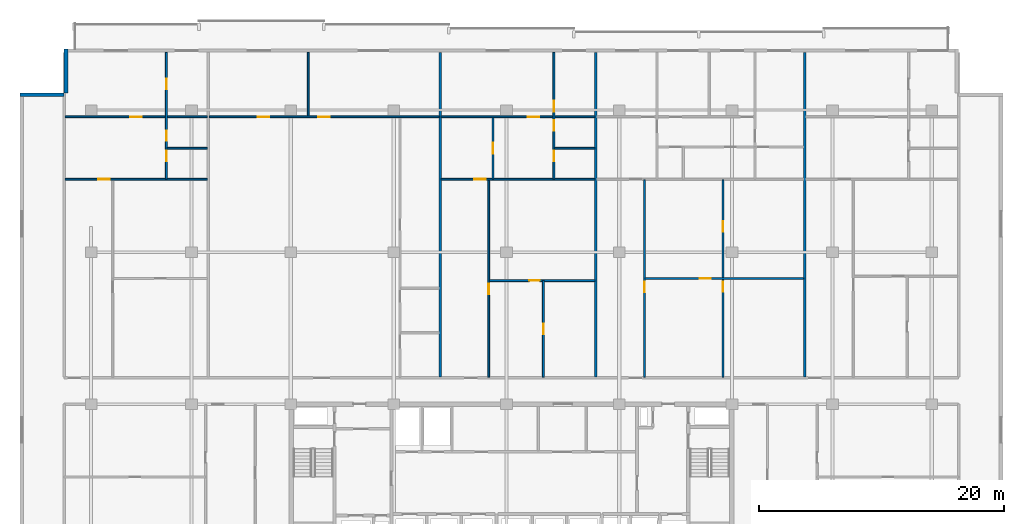
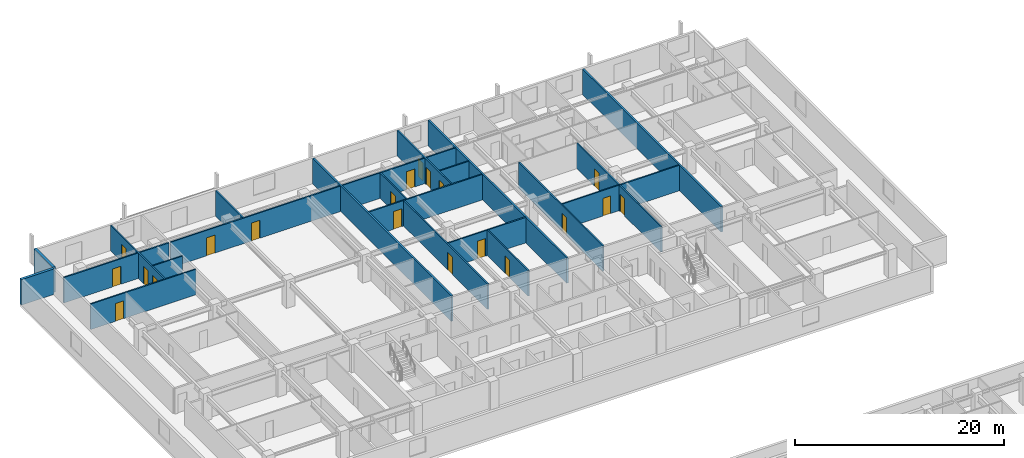
# One storey, part 14 of 22: 22 walls, 20 doors, 20 openings.
"""IFC4 building model written with IfcOpenShell, lengths in metres."""

from ifc_helpers import new_model, si_unit, direction, frame, frame_2d, origin, place, context, subcontext, project, spatial, rectangle, extrude, material, layer, layer_set, type_object, element, fill, save


model = new_model("IFC4")

# Units and contexts
model_context = context("Model", 3, precision=1e-05, world=origin(), true_north=direction((0.0, 1.0)))
body_context = subcontext(model_context, "Body", "Model", "MODEL_VIEW")
ifc_project = project(units=[si_unit("LENGTHUNIT", "METRE"), si_unit("AREAUNIT", "SQUARE_METRE"), si_unit("VOLUMEUNIT", "CUBIC_METRE"), si_unit("PLANEANGLEUNIT", "RADIAN"), si_unit("MASSUNIT", "GRAM", prefix="KILO")], contexts=[model_context])

# Site, building, storey
site_placement = place(None, origin())
site = spatial("IfcSite", under=ifc_project, at=site_placement, CompositionType="ELEMENT")
building_placement = place(site_placement, origin())
building = spatial("IfcBuilding", under=site, at=building_placement, Name="Korimba Cascade Residences", CompositionType="ELEMENT")
storey_placement = place(building_placement, frame((0.0, 0.0, 87.300048828125)))
storey = spatial("IfcBuildingStorey", under=building, at=storey_placement, Name="L24", CompositionType="ELEMENT", Elevation=87.300048828125)

# Walls
ifc_material_1 = material(Name="Precast concrete C40/50", Category="concrete")
ifc_layer_1 = layer(ifc_material_1, 0.300048828125)
ifc_layer_set_1 = layer_set([ifc_layer_1], Name="Precast concrete C40/50")
wall_type_1 = type_object("IfcWallType", Name="EW-STONE-300", PredefinedType="STANDARD", material=ifc_layer_set_1)
wall_1_placement = place(storey_placement, frame((57.75, 96.199951171875, 0.0), z_axis=(0.0, 0.0, 1.0), x_axis=(0.0, -1.0, 0.0)))
element("IfcWall", 1, at=wall_1_placement, inside=storey, type_object=wall_type_1, Name="L24 T1 Perimeter Stone Wall E07", PredefinedType="STANDARD", context=body_context, shape_type="SweptSolid", body=[
    extrude(rectangle(XDim=3.599853515625, YDim=0.300048828125, at=frame_2d((1.7998046875, 0.0))), origin(), (0.0, 0.0, 1.0), 2.969970703125),
])
wall_2_placement = place(storey_placement, frame((57.60009765625, 92.449951171875, 0.0), z_axis=(0.0, 0.0, 1.0), x_axis=(-1.0, 0.0, 0.0)))
element("IfcWall", 2, at=wall_2_placement, inside=storey, type_object=wall_type_1, Name="L24 T1 Perimeter Stone Wall E08", PredefinedType="STANDARD", context=body_context, shape_type="SweptSolid", body=[
    extrude(rectangle(XDim=3.60009765625, YDim=0.300048828125, at=frame_2d((1.800048828125, 0.0))), origin(), (0.0, 0.0, 1.0), 2.969970703125),
])
ifc_layer_2 = layer(ifc_material_1, 0.199951171875)
ifc_layer_set_2 = layer_set([ifc_layer_2], Name="Precast concrete C40/50")
wall_type_2 = type_object("IfcWallType", Name="WAL-IT-200", PredefinedType="PARTITIONING", material=ifc_layer_set_2)
for number, where, z_axis, x_axis, name in (
    (3, (88.28466796875, 69.429931640625, 0.0), (0.0, 0.0, 1.0), (0.0, 1.0, 0.0), "L24 Partition Wall WAL-L24-T1-DEM-2"),
    (4, (100.9873046875, 69.429931640625, 0.0), (0.0, 0.0, 1.0), (0.0, 1.0, 0.0), "L24 Partition Wall WAL-L24-T1-DEM-3"),
    (5, (118.033447265625, 69.429931640625, 0.0), (0.0, 0.0, 1.0), (0.0, 1.0, 0.0), "L24 Partition Wall WAL-L24-T1-DEM-4"),
):
    element("IfcWall", number, at=place(storey_placement, frame(where, z_axis=z_axis, x_axis=x_axis)), inside=storey, type_object=wall_type_2, Name=name, PredefinedType="PARTITIONING", context=body_context, shape_type="SweptSolid", body=[
        extrude(rectangle(XDim=26.469970703125, YDim=0.199951171875, at=frame_2d((13.23486328125, 0.0))), origin(), (0.0, 0.0, 1.0), 2.969970703125),
    ])
ifc_material_2 = material(Name="Insulated Acoustic Stud Partition", Category="gypsum")
ifc_layer_3 = layer(ifc_material_2, 0.14990234375)
ifc_layer_set_3 = layer_set([ifc_layer_3], Name="Insulated Acoustic Stud Partition")
wall_type_3 = type_object("IfcWallType", Name="WAL-PART-150", PredefinedType="PARTITIONING", material=ifc_layer_set_3)
wall_3_placement = place(storey_placement, frame((66.006591796875, 88.090087890625, 0.0), z_axis=(0.0, 0.0, 1.0), x_axis=(1.0, 0.0, 0.0)))
element("IfcWall", 6, at=wall_3_placement, inside=storey, type_object=wall_type_3, Name="L24 Partition Wall WAL-L24-T1-U01-BLDIV", PredefinedType="PARTITIONING", context=body_context, shape_type="SweptSolid", body=[
    extrude(rectangle(XDim=3.280029296875, YDim=0.14990234375, at=frame_2d((1.64013671875, 0.0))), origin(), (0.0, 0.0, 1.0), 2.969970703125),
])

# Wall, openings, doors
wall_4_placement = place(storey_placement, frame((65.94677734375, 85.590087890625, 0.0), z_axis=(0.0, 0.0, 1.0), x_axis=(0.0, 1.0, 0.0)))
wall_4 = element("IfcWall", 7, at=wall_4_placement, inside=storey, type_object=wall_type_3, Name="L24 Partition Wall WAL-L24-T1-U01-V1", PredefinedType="PARTITIONING", context=body_context, shape_type="SweptSolid", body=[
    extrude(rectangle(XDim=10.309814453125, YDim=0.14990234375, at=frame_2d((5.15478515625, 0.0))), origin(), (0.0, 0.0, 1.0), 2.969970703125),
])
opening_1_placement = place(wall_4_placement, frame((1.430419921875, 0.0, 0.0)))
opening_1 = element("IfcOpeningElement", 8, at=opening_1_placement, cuts=wall_4, Name="Opening D-BT1", PredefinedType="OPENING", context=body_context, shape_type="SweptSolid", body=[
    extrude(rectangle(XDim=0.840087890625, YDim=2.0400390625, at=frame_2d((0.419921875, 1.02001953125))), frame((0.0, 0.0849609375, 0.0), z_axis=(0.0, -1.0, 0.0), x_axis=(1.0, 0.0, 0.0)), (0.0, 0.0, 1.0), 0.169921875),
])
opening_2_placement = place(wall_4_placement, frame((3.1015625, 0.0, 0.0)))
opening_2 = element("IfcOpeningElement", 9, at=opening_2_placement, cuts=wall_4, Name="Opening D-BT1", PredefinedType="OPENING", context=body_context, shape_type="SweptSolid", body=[
    extrude(rectangle(XDim=0.840087890625, YDim=2.0400390625, at=frame_2d((0.419921875, 1.02001953125))), frame((0.0, 0.0849609375, 0.0), z_axis=(0.0, -1.0, 0.0), x_axis=(1.0, 0.0, 0.0)), (0.0, 0.0, 1.0), 0.169921875),
])
opening_3_placement = place(wall_4_placement, frame((7.28955078125, 0.0, 0.0)))
opening_3 = element("IfcOpeningElement", 10, at=opening_3_placement, cuts=wall_4, Name="Opening D-IN2", PredefinedType="OPENING", context=body_context, shape_type="SweptSolid", body=[
    extrude(rectangle(XDim=0.8798828125, YDim=2.06005859375, at=frame_2d((0.43994140625, 1.030029296875))), frame((0.0, 0.0849609375, 0.0), z_axis=(0.0, -1.0, 0.0), x_axis=(1.0, 0.0, 0.0)), (0.0, 0.0, 1.0), 0.169921875),
])
ifc_material_3 = material(Name="Moisture-Resistant Bathroom Timber Door", Category="wood")
door_type_1 = type_object("IfcDoorType", Name="DR-INT-850", OperationType="NOTDEFINED", PredefinedType="DOOR", material=ifc_material_3)
door_1_placement = place(opening_1_placement, origin())
door_1 = element("IfcDoor", 11, at=door_1_placement, inside=storey, type_object=door_type_1, Name="L24-T1-U01 Bathroom Door", OperationType="SINGLE_SWING_LEFT", OverallHeight=2.0400390625, OverallWidth=0.840087890625, PredefinedType="DOOR", context=body_context, shape_type="SweptSolid", body=[
    extrude(rectangle(XDim=0.840087890625, YDim=2.0400390625, at=frame_2d((0.419921875, 1.02001953125))), frame((0.0, 0.02490234375, 0.0), z_axis=(0.0, -1.0, 0.0), x_axis=(1.0, 0.0, 0.0)), (0.0, 0.0, 1.0), 0.050048828125),
])
fill(opening_1, door_1)
door_2_placement = place(opening_2_placement, origin())
door_2 = element("IfcDoor", 12, at=door_2_placement, inside=storey, type_object=door_type_1, Name="L24-T1-U01 Laundry Door", OperationType="SINGLE_SWING_RIGHT", OverallHeight=2.0400390625, OverallWidth=0.840087890625, PredefinedType="DOOR", context=body_context, shape_type="SweptSolid", body=[
    extrude(rectangle(XDim=0.840087890625, YDim=2.0400390625, at=frame_2d((0.419921875, 1.02001953125))), frame((0.0, 0.02490234375, 0.0), z_axis=(0.0, -1.0, 0.0), x_axis=(1.0, 0.0, 0.0)), (0.0, 0.0, 1.0), 0.050048828125),
])
fill(opening_2, door_2)
ifc_material_4 = material(Name="Acoustic Timber Bedroom Door", Category="wood")
door_type_2 = type_object("IfcDoorType", Name="DR-INT-880", OperationType="NOTDEFINED", PredefinedType="DOOR", material=ifc_material_4)
door_3_placement = place(opening_3_placement, origin())
door_3 = element("IfcDoor", 13, at=door_3_placement, inside=storey, type_object=door_type_2, Name="L24-T1-U01 Bedroom 1 Door", OperationType="SINGLE_SWING_LEFT", OverallHeight=2.06005859375, OverallWidth=0.8798828125, PredefinedType="DOOR", context=body_context, shape_type="SweptSolid", body=[
    extrude(rectangle(XDim=0.8798828125, YDim=2.06005859375, at=frame_2d((0.43994140625, 1.030029296875))), frame((0.0, 0.02490234375, 0.0), z_axis=(0.0, -1.0, 0.0), x_axis=(1.0, 0.0, 0.0)), (0.0, 0.0, 1.0), 0.050048828125),
])
fill(opening_3, door_3)

# Wall, opening, door
wall_5_placement = place(storey_placement, frame((57.679931640625, 85.550048828125, 0.0), z_axis=(0.0, 0.0, 1.0), x_axis=(1.0, 0.0, 0.0)))
wall_5 = element("IfcWall", 14, at=wall_5_placement, inside=storey, type_object=wall_type_3, Name="L24 Partition Wall WAL-L24-T1-U01-MW", PredefinedType="PARTITIONING", context=body_context, shape_type="SweptSolid", body=[
    extrude(rectangle(XDim=11.606689453125, YDim=0.14990234375, at=frame_2d((5.80322265625, 0.0))), origin(), (0.0, 0.0, 1.0), 2.969970703125),
])
opening_4_placement = place(wall_5_placement, frame((2.719970703125, 0.0, 0.0)))
opening_4 = element("IfcOpeningElement", 15, at=opening_4_placement, cuts=wall_5, Name="Opening D-IN1", PredefinedType="OPENING", context=body_context, shape_type="SweptSolid", body=[
    extrude(rectangle(XDim=0.919921875, YDim=2.080078125, at=frame_2d((0.4599609375, 1.0400390625))), frame((0.0, 0.0849609375, 0.0), z_axis=(0.0, -1.0, 0.0), x_axis=(1.0, 0.0, 0.0)), (0.0, 0.0, 1.0), 0.169921875),
])
ifc_material_5 = material(Name="Acoustic Timber Living Door", Category="wood")
door_type_3 = type_object("IfcDoorType", Name="DR-INT-920", OperationType="NOTDEFINED", PredefinedType="DOOR", material=ifc_material_5)
door_4_placement = place(opening_4_placement, origin())
door_4 = element("IfcDoor", 16, at=door_4_placement, inside=storey, type_object=door_type_3, Name="L24-T1-U01 Kitchen Archway Door", OperationType="SINGLE_SWING_RIGHT", OverallHeight=2.080078125, OverallWidth=0.919921875, PredefinedType="DOOR", context=body_context, shape_type="SweptSolid", body=[
    extrude(rectangle(XDim=0.919921875, YDim=2.080078125, at=frame_2d((0.4599609375, 1.0400390625))), frame((0.0, 0.02490234375, 0.0), z_axis=(0.0, -1.0, 0.0), x_axis=(1.0, 0.0, 0.0)), (0.0, 0.0, 1.0), 0.050048828125),
])
fill(opening_4, door_4)

wall_6_placement = place(storey_placement, frame((57.679931640625, 90.64990234375, 0.0), z_axis=(0.0, 0.0, 1.0), x_axis=(1.0, 0.0, 0.0)))
wall_6 = element("IfcWall", 17, at=wall_6_placement, inside=storey, type_object=wall_type_3, Name="L24 Partition Wall WAL-L24-T1-U01-HZ", PredefinedType="PARTITIONING", context=body_context, shape_type="SweptSolid", body=[
    extrude(rectangle(XDim=11.606689453125, YDim=0.14990234375, at=frame_2d((5.80322265625, 0.0))), origin(), (0.0, 0.0, 1.0), 2.969970703125),
])
opening_5_placement = place(wall_6_placement, frame((5.333251953125, 0.0, 0.0)))
opening_5 = element("IfcOpeningElement", 18, at=opening_5_placement, cuts=wall_6, Name="Opening D-IN0", PredefinedType="OPENING", context=body_context, shape_type="SweptSolid", body=[
    extrude(rectangle(XDim=0.93994140625, YDim=2.10009765625, at=frame_2d((0.469970703125, 1.050048828125))), frame((0.0, 0.0849609375, 0.0), z_axis=(0.0, -1.0, 0.0), x_axis=(1.0, 0.0, 0.0)), (0.0, 0.0, 1.0), 0.169921875),
])
ifc_material_6 = material(Name="Acoustic Timber Living Archway Door", Category="wood")
door_type_4 = type_object("IfcDoorType", Name="DR-INT-950", OperationType="NOTDEFINED", PredefinedType="DOOR", material=ifc_material_6)
door_5_placement = place(opening_5_placement, origin())
door_5 = element("IfcDoor", 19, at=door_5_placement, inside=storey, type_object=door_type_4, Name="L24-T1-U01 Living Archway Door", OperationType="SINGLE_SWING_LEFT", OverallHeight=2.10009765625, OverallWidth=0.93994140625, PredefinedType="DOOR", context=body_context, shape_type="SweptSolid", body=[
    extrude(rectangle(XDim=0.93994140625, YDim=2.10009765625, at=frame_2d((0.469970703125, 1.050048828125))), frame((0.0, 0.02490234375, 0.0), z_axis=(0.0, -1.0, 0.0), x_axis=(1.0, 0.0, 0.0)), (0.0, 0.0, 1.0), 0.050048828125),
])
fill(opening_5, door_5)

# Wall
wall_7_placement = place(storey_placement, frame((77.520751953125, 90.72998046875, 0.0), z_axis=(0.0, 0.0, 1.0), x_axis=(0.0, 1.0, 0.0)))
element("IfcWall", 20, at=wall_7_placement, inside=storey, type_object=wall_type_3, Name="L24 Partition Wall WAL-L24-T1-U02-OUTV", PredefinedType="PARTITIONING", context=body_context, shape_type="SweptSolid", body=[
    extrude(rectangle(XDim=5.169921875, YDim=0.14990234375, at=frame_2d((2.5849609375, 0.0))), origin(), (0.0, 0.0, 1.0), 2.969970703125),
])

# Wall, openings, doors
wall_8_placement = place(storey_placement, frame((69.44677734375, 90.64990234375, 0.0), z_axis=(0.0, 0.0, 1.0), x_axis=(1.0, 0.0, 0.0)))
wall_8 = element("IfcWall", 21, at=wall_8_placement, inside=storey, type_object=wall_type_3, Name="L24 Partition Wall WAL-L24-T1-U02-HZ", PredefinedType="PARTITIONING", context=body_context, shape_type="SweptSolid", body=[
    extrude(rectangle(XDim=18.7578125, YDim=0.14990234375, at=frame_2d((9.37890625, 0.0))), origin(), (0.0, 0.0, 1.0), 2.969970703125),
])
opening_6_placement = place(wall_8_placement, frame((3.965087890625, 0.0, 0.0)))
opening_6 = element("IfcOpeningElement", 22, at=opening_6_placement, cuts=wall_8, Name="Opening D-IN0", PredefinedType="OPENING", context=body_context, shape_type="SweptSolid", body=[
    extrude(rectangle(XDim=0.93994140625, YDim=2.10009765625, at=frame_2d((0.469970703125, 1.050048828125))), frame((0.0, 0.0849609375, 0.0), z_axis=(0.0, -1.0, 0.0), x_axis=(1.0, 0.0, 0.0)), (0.0, 0.0, 1.0), 0.169921875),
])
opening_7_placement = place(wall_8_placement, frame((8.908935546875, 0.0, 0.0)))
opening_7 = element("IfcOpeningElement", 23, at=opening_7_placement, cuts=wall_8, Name="Opening D-IN0", PredefinedType="OPENING", context=body_context, shape_type="SweptSolid", body=[
    extrude(rectangle(XDim=0.93994140625, YDim=2.10009765625, at=frame_2d((0.469970703125, 1.050048828125))), frame((0.0, 0.0849609375, 0.0), z_axis=(0.0, -1.0, 0.0), x_axis=(1.0, 0.0, 0.0)), (0.0, 0.0, 1.0), 0.169921875),
])
door_6_placement = place(opening_6_placement, origin())
door_6 = element("IfcDoor", 24, at=door_6_placement, inside=storey, type_object=door_type_4, Name="L24-T1-U02 Resident Gourmet Market Door", OperationType="SINGLE_SWING_LEFT", OverallHeight=2.10009765625, OverallWidth=0.93994140625, PredefinedType="DOOR", context=body_context, shape_type="SweptSolid", body=[
    extrude(rectangle(XDim=0.93994140625, YDim=2.10009765625, at=frame_2d((0.469970703125, 1.050048828125))), frame((0.0, 0.02490234375, 0.0), z_axis=(0.0, -1.0, 0.0), x_axis=(1.0, 0.0, 0.0)), (0.0, 0.0, 1.0), 0.050048828125),
])
fill(opening_6, door_6)
door_7_placement = place(opening_7_placement, origin())
door_7 = element("IfcDoor", 25, at=door_7_placement, inside=storey, type_object=door_type_4, Name="L24-T1-U02 Artisan Gallery Boutique Door", OperationType="SINGLE_SWING_RIGHT", OverallHeight=2.10009765625, OverallWidth=0.93994140625, PredefinedType="DOOR", context=body_context, shape_type="SweptSolid", body=[
    extrude(rectangle(XDim=0.93994140625, YDim=2.10009765625, at=frame_2d((0.469970703125, 1.050048828125))), frame((0.0, 0.02490234375, 0.0), z_axis=(0.0, -1.0, 0.0), x_axis=(1.0, 0.0, 0.0)), (0.0, 0.0, 1.0), 0.050048828125),
])
fill(opening_7, door_7)

# Wall, opening, door
wall_9_placement = place(storey_placement, frame((96.7109375, 69.409912109375, 0.0), z_axis=(0.0, 0.0, 1.0), x_axis=(0.0, 1.0, 0.0)))
wall_9 = element("IfcWall", 26, at=wall_9_placement, inside=storey, type_object=wall_type_3, Name="L24 Partition Wall WAL-L24-T1-U03-FMV", PredefinedType="PARTITIONING", context=body_context, shape_type="SweptSolid", body=[
    extrude(rectangle(XDim=7.8701171875, YDim=0.14990234375, at=frame_2d((3.93505859375, 0.0))), origin(), (0.0, 0.0, 1.0), 2.969970703125),
])
opening_8_placement = place(wall_9_placement, frame((3.514892578125, 0.0, 0.0)))
opening_8 = element("IfcOpeningElement", 27, at=opening_8_placement, cuts=wall_9, Name="Opening D-BT1", PredefinedType="OPENING", context=body_context, shape_type="SweptSolid", body=[
    extrude(rectangle(XDim=0.840087890625, YDim=2.0400390625, at=frame_2d((0.419921875, 1.02001953125))), frame((0.0, 0.0849609375, 0.0), z_axis=(0.0, -1.0, 0.0), x_axis=(1.0, 0.0, 0.0)), (0.0, 0.0, 1.0), 0.169921875),
])
door_8_placement = place(opening_8_placement, origin())
door_8 = element("IfcDoor", 28, at=door_8_placement, inside=storey, type_object=door_type_1, Name="L24-T1-U03 Wardrobe Door", OperationType="SINGLE_SWING_LEFT", OverallHeight=2.0400390625, OverallWidth=0.840087890625, PredefinedType="DOOR", context=body_context, shape_type="SweptSolid", body=[
    extrude(rectangle(XDim=0.840087890625, YDim=2.0400390625, at=frame_2d((0.419921875, 1.02001953125))), frame((0.0, 0.02490234375, 0.0), z_axis=(0.0, -1.0, 0.0), x_axis=(1.0, 0.0, 0.0)), (0.0, 0.0, 1.0), 0.050048828125),
])
fill(opening_8, door_8)

wall_10_placement = place(storey_placement, frame((92.314697265625, 77.280029296875, 0.0), z_axis=(0.0, 0.0, 1.0), x_axis=(1.0, 0.0, 0.0)))
wall_10 = element("IfcWall", 29, at=wall_10_placement, inside=storey, type_object=wall_type_3, Name="L24 Partition Wall WAL-L24-T1-U03-FMH", PredefinedType="PARTITIONING", context=body_context, shape_type="SweptSolid", body=[
    extrude(rectangle(XDim=8.592529296875, YDim=0.14990234375, at=frame_2d((4.29638671875, 0.0))), origin(), (0.0, 0.0, 1.0), 2.969970703125),
])
opening_9_placement = place(wall_10_placement, frame((3.2373046875, 0.0, 0.0)))
opening_9 = element("IfcOpeningElement", 30, at=opening_9_placement, cuts=wall_10, Name="Opening D-IN2", PredefinedType="OPENING", context=body_context, shape_type="SweptSolid", body=[
    extrude(rectangle(XDim=0.8798828125, YDim=2.06005859375, at=frame_2d((0.43994140625, 1.030029296875))), frame((0.0, 0.0849609375, 0.0), z_axis=(0.0, -1.0, 0.0), x_axis=(1.0, 0.0, 0.0)), (0.0, 0.0, 1.0), 0.169921875),
])
door_9_placement = place(opening_9_placement, origin())
door_9 = element("IfcDoor", 31, at=door_9_placement, inside=storey, type_object=door_type_2, Name="L24-T1-U03 Library Salon Door", OperationType="SINGLE_SWING_RIGHT", OverallHeight=2.06005859375, OverallWidth=0.8798828125, PredefinedType="DOOR", context=body_context, shape_type="SweptSolid", body=[
    extrude(rectangle(XDim=0.8798828125, YDim=2.06005859375, at=frame_2d((0.43994140625, 1.030029296875))), frame((0.0, 0.02490234375, 0.0), z_axis=(0.0, -1.0, 0.0), x_axis=(1.0, 0.0, 0.0)), (0.0, 0.0, 1.0), 0.050048828125),
])
fill(opening_9, door_9)

wall_11_placement = place(storey_placement, frame((92.254638671875, 69.409912109375, 0.0), z_axis=(0.0, 0.0, 1.0), x_axis=(0.0, 1.0, 0.0)))
wall_11 = element("IfcWall", 32, at=wall_11_placement, inside=storey, type_object=wall_type_3, Name="L24 Partition Wall WAL-L24-T1-U03-FV", PredefinedType="PARTITIONING", context=body_context, shape_type="SweptSolid", body=[
    extrude(rectangle(XDim=16.10009765625, YDim=0.14990234375, at=frame_2d((8.050048828125, 0.0))), origin(), (0.0, 0.0, 1.0), 2.969970703125),
])
opening_10_placement = place(wall_11_placement, frame((6.739990234375, 0.0, 0.0)))
opening_10 = element("IfcOpeningElement", 33, at=opening_10_placement, cuts=wall_11, Name="Opening D-IN2", PredefinedType="OPENING", context=body_context, shape_type="SweptSolid", body=[
    extrude(rectangle(XDim=0.8798828125, YDim=2.06005859375, at=frame_2d((0.43994140625, 1.030029296875))), frame((0.0, 0.0849609375, 0.0), z_axis=(0.0, -1.0, 0.0), x_axis=(1.0, 0.0, 0.0)), (0.0, 0.0, 1.0), 0.169921875),
])
door_10_placement = place(opening_10_placement, origin())
door_10 = element("IfcDoor", 34, at=door_10_placement, inside=storey, type_object=door_type_2, Name="L24-T1-U03 Media Lounge Door", OperationType="SINGLE_SWING_LEFT", OverallHeight=2.06005859375, OverallWidth=0.8798828125, PredefinedType="DOOR", context=body_context, shape_type="SweptSolid", body=[
    extrude(rectangle(XDim=0.8798828125, YDim=2.06005859375, at=frame_2d((0.43994140625, 1.030029296875))), frame((0.0, 0.02490234375, 0.0), z_axis=(0.0, -1.0, 0.0), x_axis=(1.0, 0.0, 0.0)), (0.0, 0.0, 1.0), 0.050048828125),
])
fill(opening_10, door_10)

wall_12_placement = place(storey_placement, frame((92.6044921875, 85.590087890625, 0.0), z_axis=(0.0, 0.0, 1.0), x_axis=(0.0, 1.0, 0.0)))
wall_12 = element("IfcWall", 35, at=wall_12_placement, inside=storey, type_object=wall_type_3, Name="L24 Partition Wall WAL-L24-T1-U03-VDIN", PredefinedType="PARTITIONING", context=body_context, shape_type="SweptSolid", body=[
    extrude(rectangle(XDim=5.0, YDim=0.14990234375, at=frame_2d((2.5, 0.0))), origin(), (0.0, 0.0, 1.0), 2.969970703125),
])
opening_11_placement = place(wall_12_placement, frame((2.06005859375, 0.0, 0.0)))
opening_11 = element("IfcOpeningElement", 36, at=opening_11_placement, cuts=wall_12, Name="Opening D-IN2", PredefinedType="OPENING", context=body_context, shape_type="SweptSolid", body=[
    extrude(rectangle(XDim=0.8798828125, YDim=2.06005859375, at=frame_2d((0.43994140625, 1.030029296875))), frame((0.0, 0.0849609375, 0.0), z_axis=(0.0, -1.0, 0.0), x_axis=(1.0, 0.0, 0.0)), (0.0, 0.0, 1.0), 0.169921875),
])
door_11_placement = place(opening_11_placement, origin())
door_11 = element("IfcDoor", 37, at=door_11_placement, inside=storey, type_object=door_type_2, Name="L24-T1-U03 Dining Room Door", OperationType="SINGLE_SWING_RIGHT", OverallHeight=2.06005859375, OverallWidth=0.8798828125, PredefinedType="DOOR", context=body_context, shape_type="SweptSolid", body=[
    extrude(rectangle(XDim=0.8798828125, YDim=2.06005859375, at=frame_2d((0.43994140625, 1.030029296875))), frame((0.0, 0.02490234375, 0.0), z_axis=(0.0, -1.0, 0.0), x_axis=(1.0, 0.0, 0.0)), (0.0, 0.0, 1.0), 0.050048828125),
])
fill(opening_11, door_11)

# Wall
wall_13_placement = place(storey_placement, frame((97.627197265625, 88.090087890625, 0.0), z_axis=(0.0, 0.0, 1.0), x_axis=(1.0, 0.0, 0.0)))
element("IfcWall", 38, at=wall_13_placement, inside=storey, type_object=wall_type_3, Name="L24 Partition Wall WAL-L24-T1-U03-BLDIV", PredefinedType="PARTITIONING", context=body_context, shape_type="SweptSolid", body=[
    extrude(rectangle(XDim=3.280029296875, YDim=0.14990234375, at=frame_2d((1.64013671875, 0.0))), origin(), (0.0, 0.0, 1.0), 2.969970703125),
])

# Wall, openings, doors
wall_14_placement = place(storey_placement, frame((97.567138671875, 85.590087890625, 0.0), z_axis=(0.0, 0.0, 1.0), x_axis=(0.0, 1.0, 0.0)))
wall_14 = element("IfcWall", 39, at=wall_14_placement, inside=storey, type_object=wall_type_3, Name="L24 Partition Wall WAL-L24-T1-U03-V1", PredefinedType="PARTITIONING", context=body_context, shape_type="SweptSolid", body=[
    extrude(rectangle(XDim=10.309814453125, YDim=0.14990234375, at=frame_2d((5.15478515625, 0.0))), origin(), (0.0, 0.0, 1.0), 2.969970703125),
])
opening_12_placement = place(wall_14_placement, frame((1.430419921875, 0.0, 0.0)))
opening_12 = element("IfcOpeningElement", 40, at=opening_12_placement, cuts=wall_14, Name="Opening D-BT1", PredefinedType="OPENING", context=body_context, shape_type="SweptSolid", body=[
    extrude(rectangle(XDim=0.840087890625, YDim=2.0400390625, at=frame_2d((0.419921875, 1.02001953125))), frame((0.0, 0.0849609375, 0.0), z_axis=(0.0, -1.0, 0.0), x_axis=(1.0, 0.0, 0.0)), (0.0, 0.0, 1.0), 0.169921875),
])
opening_13_placement = place(wall_14_placement, frame((3.919921875, 0.0, 0.0)))
opening_13 = element("IfcOpeningElement", 41, at=opening_13_placement, cuts=wall_14, Name="Opening D-BT1", PredefinedType="OPENING", context=body_context, shape_type="SweptSolid", body=[
    extrude(rectangle(XDim=0.840087890625, YDim=2.0400390625, at=frame_2d((0.419921875, 1.02001953125))), frame((0.0, 0.0849609375, 0.0), z_axis=(0.0, -1.0, 0.0), x_axis=(1.0, 0.0, 0.0)), (0.0, 0.0, 1.0), 0.169921875),
])
opening_14_placement = place(wall_14_placement, frame((5.47998046875, 0.0, 0.0)))
opening_14 = element("IfcOpeningElement", 42, at=opening_14_placement, cuts=wall_14, Name="Opening D-IN2", PredefinedType="OPENING", context=body_context, shape_type="SweptSolid", body=[
    extrude(rectangle(XDim=0.8798828125, YDim=2.06005859375, at=frame_2d((0.43994140625, 1.030029296875))), frame((0.0, 0.0849609375, 0.0), z_axis=(0.0, -1.0, 0.0), x_axis=(1.0, 0.0, 0.0)), (0.0, 0.0, 1.0), 0.169921875),
])
door_12_placement = place(opening_12_placement, origin())
door_12 = element("IfcDoor", 43, at=door_12_placement, inside=storey, type_object=door_type_1, Name="L24-T1-U03 Bathroom Door", OperationType="SINGLE_SWING_LEFT", OverallHeight=2.0400390625, OverallWidth=0.840087890625, PredefinedType="DOOR", context=body_context, shape_type="SweptSolid", body=[
    extrude(rectangle(XDim=0.840087890625, YDim=2.0400390625, at=frame_2d((0.419921875, 1.02001953125))), frame((0.0, 0.02490234375, 0.0), z_axis=(0.0, -1.0, 0.0), x_axis=(1.0, 0.0, 0.0)), (0.0, 0.0, 1.0), 0.050048828125),
])
fill(opening_12, door_12)
door_13_placement = place(opening_13_placement, origin())
door_13 = element("IfcDoor", 44, at=door_13_placement, inside=storey, type_object=door_type_1, Name="L24-T1-U03 Laundry Door", OperationType="SINGLE_SWING_RIGHT", OverallHeight=2.0400390625, OverallWidth=0.840087890625, PredefinedType="DOOR", context=body_context, shape_type="SweptSolid", body=[
    extrude(rectangle(XDim=0.840087890625, YDim=2.0400390625, at=frame_2d((0.419921875, 1.02001953125))), frame((0.0, 0.02490234375, 0.0), z_axis=(0.0, -1.0, 0.0), x_axis=(1.0, 0.0, 0.0)), (0.0, 0.0, 1.0), 0.050048828125),
])
fill(opening_13, door_13)
door_14_placement = place(opening_14_placement, origin())
door_14 = element("IfcDoor", 45, at=door_14_placement, inside=storey, type_object=door_type_2, Name="L24-T1-U03 Bedroom 1 Door", OperationType="SINGLE_SWING_LEFT", OverallHeight=2.06005859375, OverallWidth=0.8798828125, PredefinedType="DOOR", context=body_context, shape_type="SweptSolid", body=[
    extrude(rectangle(XDim=0.8798828125, YDim=2.06005859375, at=frame_2d((0.43994140625, 1.030029296875))), frame((0.0, 0.02490234375, 0.0), z_axis=(0.0, -1.0, 0.0), x_axis=(1.0, 0.0, 0.0)), (0.0, 0.0, 1.0), 0.050048828125),
])
fill(opening_14, door_14)

# Wall, opening, door
wall_15_placement = place(storey_placement, frame((88.364501953125, 85.550048828125, 0.0), z_axis=(0.0, 0.0, 1.0), x_axis=(1.0, 0.0, 0.0)))
wall_15 = element("IfcWall", 46, at=wall_15_placement, inside=storey, type_object=wall_type_3, Name="L24 Partition Wall WAL-L24-T1-U03-MW", PredefinedType="PARTITIONING", context=body_context, shape_type="SweptSolid", body=[
    extrude(rectangle(XDim=12.542724609375, YDim=0.14990234375, at=frame_2d((6.271484375, 0.0))), origin(), (0.0, 0.0, 1.0), 2.969970703125),
])
opening_15_placement = place(wall_15_placement, frame((2.719970703125, 0.0, 0.0)))
opening_15 = element("IfcOpeningElement", 47, at=opening_15_placement, cuts=wall_15, Name="Opening D-IN1", PredefinedType="OPENING", context=body_context, shape_type="SweptSolid", body=[
    extrude(rectangle(XDim=0.919921875, YDim=2.080078125, at=frame_2d((0.4599609375, 1.0400390625))), frame((0.0, 0.0849609375, 0.0), z_axis=(0.0, -1.0, 0.0), x_axis=(1.0, 0.0, 0.0)), (0.0, 0.0, 1.0), 0.169921875),
])
door_15_placement = place(opening_15_placement, origin())
door_15 = element("IfcDoor", 48, at=door_15_placement, inside=storey, type_object=door_type_3, Name="L24-T1-U03 Kitchen Archway Door", OperationType="SINGLE_SWING_RIGHT", OverallHeight=2.080078125, OverallWidth=0.919921875, PredefinedType="DOOR", context=body_context, shape_type="SweptSolid", body=[
    extrude(rectangle(XDim=0.919921875, YDim=2.080078125, at=frame_2d((0.4599609375, 1.0400390625))), frame((0.0, 0.02490234375, 0.0), z_axis=(0.0, -1.0, 0.0), x_axis=(1.0, 0.0, 0.0)), (0.0, 0.0, 1.0), 0.050048828125),
])
fill(opening_15, door_15)

wall_16_placement = place(storey_placement, frame((88.364501953125, 90.64990234375, 0.0), z_axis=(0.0, 0.0, 1.0), x_axis=(1.0, 0.0, 0.0)))
wall_16 = element("IfcWall", 49, at=wall_16_placement, inside=storey, type_object=wall_type_3, Name="L24 Partition Wall WAL-L24-T1-U03-HZ", PredefinedType="PARTITIONING", context=body_context, shape_type="SweptSolid", body=[
    extrude(rectangle(XDim=12.542724609375, YDim=0.14990234375, at=frame_2d((6.271484375, 0.0))), origin(), (0.0, 0.0, 1.0), 2.969970703125),
])
opening_16_placement = place(wall_16_placement, frame((7.0810546875, 0.0, 0.0)))
opening_16 = element("IfcOpeningElement", 50, at=opening_16_placement, cuts=wall_16, Name="Opening D-IN0", PredefinedType="OPENING", context=body_context, shape_type="SweptSolid", body=[
    extrude(rectangle(XDim=0.93994140625, YDim=2.10009765625, at=frame_2d((0.469970703125, 1.050048828125))), frame((0.0, 0.0849609375, 0.0), z_axis=(0.0, -1.0, 0.0), x_axis=(1.0, 0.0, 0.0)), (0.0, 0.0, 1.0), 0.169921875),
])
door_16_placement = place(opening_16_placement, origin())
door_16 = element("IfcDoor", 51, at=door_16_placement, inside=storey, type_object=door_type_4, Name="L24-T1-U03 Living Archway Door", OperationType="SINGLE_SWING_LEFT", OverallHeight=2.10009765625, OverallWidth=0.93994140625, PredefinedType="DOOR", context=body_context, shape_type="SweptSolid", body=[
    extrude(rectangle(XDim=0.93994140625, YDim=2.10009765625, at=frame_2d((0.469970703125, 1.050048828125))), frame((0.0, 0.02490234375, 0.0), z_axis=(0.0, -1.0, 0.0), x_axis=(1.0, 0.0, 0.0)), (0.0, 0.0, 1.0), 0.050048828125),
])
fill(opening_16, door_16)

# Wall, openings, doors
wall_17_placement = place(storey_placement, frame((111.365234375, 69.409912109375, 0.0), z_axis=(0.0, 0.0, 1.0), x_axis=(0.0, 1.0, 0.0)))
wall_17 = element("IfcWall", 52, at=wall_17_placement, inside=storey, type_object=wall_type_3, Name="L24 Partition Wall WAL-L24-T1-U04-FMV", PredefinedType="PARTITIONING", context=body_context, shape_type="SweptSolid", body=[
    extrude(rectangle(XDim=16.10009765625, YDim=0.14990234375, at=frame_2d((8.050048828125, 0.0))), origin(), (0.0, 0.0, 1.0), 2.969970703125),
])
opening_17_placement = place(wall_17_placement, frame((6.9599609375, 0.0, 0.0)))
opening_17 = element("IfcOpeningElement", 53, at=opening_17_placement, cuts=wall_17, Name="Opening D-BT1", PredefinedType="OPENING", context=body_context, shape_type="SweptSolid", body=[
    extrude(rectangle(XDim=0.840087890625, YDim=2.0400390625, at=frame_2d((0.419921875, 1.02001953125))), frame((0.0, 0.0849609375, 0.0), z_axis=(0.0, -1.0, 0.0), x_axis=(1.0, 0.0, 0.0)), (0.0, 0.0, 1.0), 0.169921875),
])
opening_18_placement = place(wall_17_placement, frame((11.847900390625, 0.0, 0.0)))
opening_18 = element("IfcOpeningElement", 54, at=opening_18_placement, cuts=wall_17, Name="Opening D-IN2", PredefinedType="OPENING", context=body_context, shape_type="SweptSolid", body=[
    extrude(rectangle(XDim=0.8798828125, YDim=2.06005859375, at=frame_2d((0.43994140625, 1.030029296875))), frame((0.0, 0.0849609375, 0.0), z_axis=(0.0, -1.0, 0.0), x_axis=(1.0, 0.0, 0.0)), (0.0, 0.0, 1.0), 0.169921875),
])
door_17_placement = place(opening_17_placement, origin())
door_17 = element("IfcDoor", 55, at=door_17_placement, inside=storey, type_object=door_type_1, Name="L24-T1-U04 Wardrobe Door", OperationType="SINGLE_SWING_RIGHT", OverallHeight=2.0400390625, OverallWidth=0.840087890625, PredefinedType="DOOR", context=body_context, shape_type="SweptSolid", body=[
    extrude(rectangle(XDim=0.840087890625, YDim=2.0400390625, at=frame_2d((0.419921875, 1.02001953125))), frame((0.0, 0.02490234375, 0.0), z_axis=(0.0, -1.0, 0.0), x_axis=(1.0, 0.0, 0.0)), (0.0, 0.0, 1.0), 0.050048828125),
])
fill(opening_17, door_17)
door_18_placement = place(opening_18_placement, origin())
door_18 = element("IfcDoor", 56, at=door_18_placement, inside=storey, type_object=door_type_2, Name="L24-T1-U04 Music Lounge Door", OperationType="SINGLE_SWING_LEFT", OverallHeight=2.06005859375, OverallWidth=0.8798828125, PredefinedType="DOOR", context=body_context, shape_type="SweptSolid", body=[
    extrude(rectangle(XDim=0.8798828125, YDim=2.06005859375, at=frame_2d((0.43994140625, 1.030029296875))), frame((0.0, 0.02490234375, 0.0), z_axis=(0.0, -1.0, 0.0), x_axis=(1.0, 0.0, 0.0)), (0.0, 0.0, 1.0), 0.050048828125),
])
fill(opening_18, door_18)

# Wall, opening, door
wall_18_placement = place(storey_placement, frame((105.01708984375, 77.4599609375, 0.0), z_axis=(0.0, 0.0, 1.0), x_axis=(1.0, 0.0, 0.0)))
wall_18 = element("IfcWall", 57, at=wall_18_placement, inside=storey, type_object=wall_type_3, Name="L24 Partition Wall WAL-L24-T1-U04-FMH", PredefinedType="PARTITIONING", context=body_context, shape_type="SweptSolid", body=[
    extrude(rectangle(XDim=12.936279296875, YDim=0.14990234375, at=frame_2d((6.46826171875, 0.0))), origin(), (0.0, 0.0, 1.0), 2.969970703125),
])
opening_19_placement = place(wall_18_placement, frame((4.46435546875, 0.0, 0.0)))
opening_19 = element("IfcOpeningElement", 58, at=opening_19_placement, cuts=wall_18, Name="Opening D-IN2", PredefinedType="OPENING", context=body_context, shape_type="SweptSolid", body=[
    extrude(rectangle(XDim=0.8798828125, YDim=2.06005859375, at=frame_2d((0.43994140625, 1.030029296875))), frame((0.0, 0.0849609375, 0.0), z_axis=(0.0, -1.0, 0.0), x_axis=(1.0, 0.0, 0.0)), (0.0, 0.0, 1.0), 0.169921875),
])
door_19_placement = place(opening_19_placement, origin())
door_19 = element("IfcDoor", 59, at=door_19_placement, inside=storey, type_object=door_type_2, Name="L24-T1-U04 Library Salon Door", OperationType="SINGLE_SWING_RIGHT", OverallHeight=2.06005859375, OverallWidth=0.8798828125, PredefinedType="DOOR", context=body_context, shape_type="SweptSolid", body=[
    extrude(rectangle(XDim=0.8798828125, YDim=2.06005859375, at=frame_2d((0.43994140625, 1.030029296875))), frame((0.0, 0.02490234375, 0.0), z_axis=(0.0, -1.0, 0.0), x_axis=(1.0, 0.0, 0.0)), (0.0, 0.0, 1.0), 0.050048828125),
])
fill(opening_19, door_19)

wall_19_placement = place(storey_placement, frame((104.957275390625, 69.409912109375, 0.0), z_axis=(0.0, 0.0, 1.0), x_axis=(0.0, 1.0, 0.0)))
wall_19 = element("IfcWall", 60, at=wall_19_placement, inside=storey, type_object=wall_type_3, Name="L24 Partition Wall WAL-L24-T1-U04-FV", PredefinedType="PARTITIONING", context=body_context, shape_type="SweptSolid", body=[
    extrude(rectangle(XDim=16.10009765625, YDim=0.14990234375, at=frame_2d((8.050048828125, 0.0))), origin(), (0.0, 0.0, 1.0), 2.969970703125),
])
opening_20_placement = place(wall_19_placement, frame((6.919921875, 0.0, 0.0)))
opening_20 = element("IfcOpeningElement", 61, at=opening_20_placement, cuts=wall_19, Name="Opening D-IN2", PredefinedType="OPENING", context=body_context, shape_type="SweptSolid", body=[
    extrude(rectangle(XDim=0.8798828125, YDim=2.06005859375, at=frame_2d((0.43994140625, 1.030029296875))), frame((0.0, 0.0849609375, 0.0), z_axis=(0.0, -1.0, 0.0), x_axis=(1.0, 0.0, 0.0)), (0.0, 0.0, 1.0), 0.169921875),
])
door_20_placement = place(opening_20_placement, origin())
door_20 = element("IfcDoor", 62, at=door_20_placement, inside=storey, type_object=door_type_2, Name="L24-T1-U04 Media Lounge Door", OperationType="SINGLE_SWING_LEFT", OverallHeight=2.06005859375, OverallWidth=0.8798828125, PredefinedType="DOOR", context=body_context, shape_type="SweptSolid", body=[
    extrude(rectangle(XDim=0.8798828125, YDim=2.06005859375, at=frame_2d((0.43994140625, 1.030029296875))), frame((0.0, 0.02490234375, 0.0), z_axis=(0.0, -1.0, 0.0), x_axis=(1.0, 0.0, 0.0)), (0.0, 0.0, 1.0), 0.050048828125),
])
fill(opening_20, door_20)

save(model, "model.ifc")
